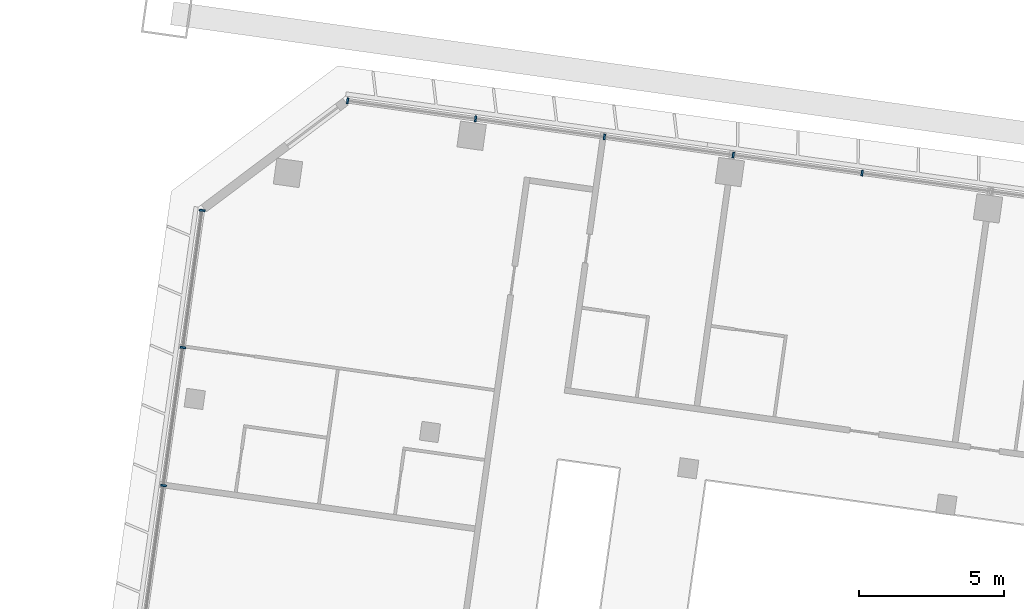
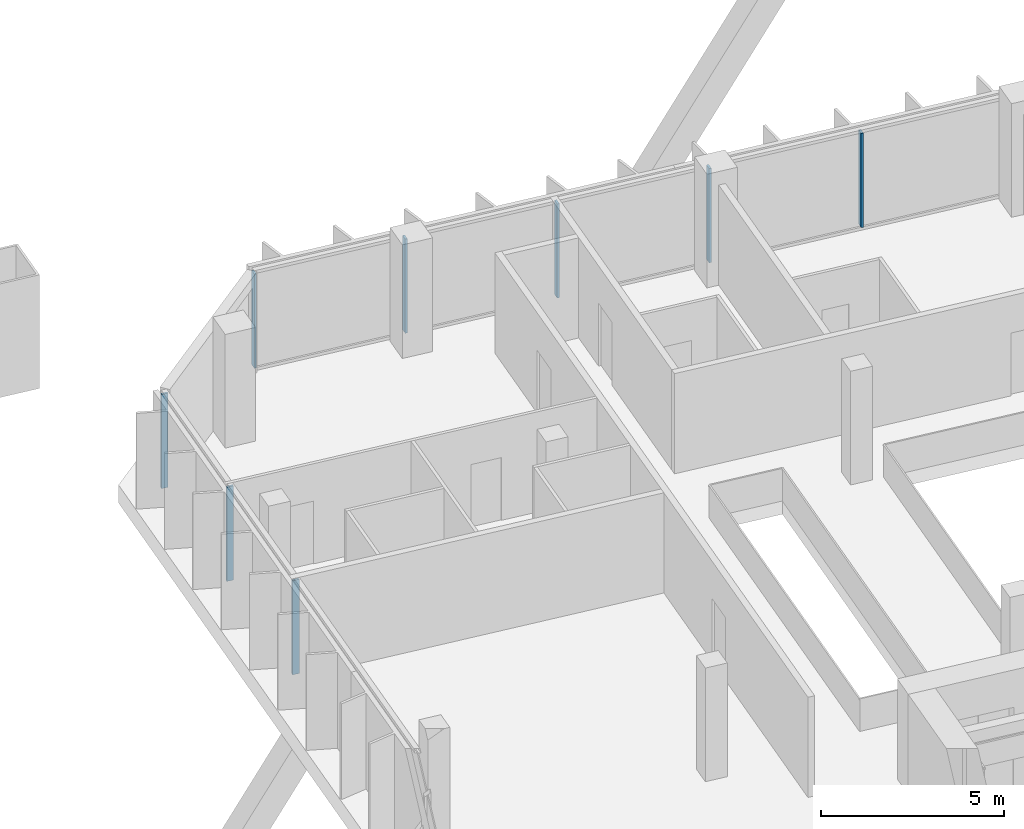
# One storey, part 4 of 41: 8 members, 2 elements without a shape of their own.
"""IFC4 building model written with IfcOpenShell, lengths in metres."""

from ifc_helpers import new_model, si_unit, direction, frame, origin, origin_2d, place, context, subcontext, project, spatial, rectangle, extrude, material, material_profile, profile_set, type_object, element, aggregate, save


model = new_model("IFC4")

# Units and contexts
model_context = context("Model", 3, precision=1e-05, world=origin(), true_north=direction((0.0, 1.0)))
body_context = subcontext(model_context, "Body", "Model", "MODEL_VIEW")
ifc_project = project(units=[si_unit("LENGTHUNIT", "METRE"), si_unit("AREAUNIT", "SQUARE_METRE"), si_unit("VOLUMEUNIT", "CUBIC_METRE"), si_unit("PLANEANGLEUNIT", "RADIAN"), si_unit("MASSUNIT", "GRAM", prefix="KILO")], contexts=[model_context])

# Site, building, storey
site_placement = place(None, origin())
site = spatial("IfcSite", under=ifc_project, at=site_placement, CompositionType="ELEMENT")
building_placement = place(site_placement, origin())
building = spatial("IfcBuilding", under=site, at=building_placement, Name="Mirante Cascada Hotel Towers", CompositionType="ELEMENT")
storey_placement = place(building_placement, frame((0.0, 0.0, 125.3)))
storey = spatial("IfcBuildingStorey", under=building, at=storey_placement, Name="L28", CompositionType="ELEMENT", Elevation=125.3)

# Curtain wall, members
ifc_material_1 = material(Name="Aluminium mullion and transom frame with clear laminated glass", Category="aluminium")
curtain_wall_type_1 = type_object("IfcCurtainWallType", Name="Ribbon curtain wall ECW1", PredefinedType="NOTDEFINED", material=ifc_material_1)
curtain_wall_1_placement = place(storey_placement, origin())
curtain_wall_1 = element("IfcCurtainWall", 1, at=curtain_wall_1_placement, inside=storey, type_object=curtain_wall_type_1, Name="Front ribbon wall T1 L28", PredefinedType="NOTDEFINED")
ifc_material_2 = material(Name="Anodised aluminium extrusion", Category="aluminium")
ifc_material_profile_1 = material_profile(ifc_material_2, rectangle(XDim=0.2, YDim=0.065, at=origin_2d()), Name="ECW1 MULLION 65x200")
ifc_profile_set_1 = profile_set([ifc_material_profile_1], Name="Anodised aluminium extrusion")
member_type_1 = type_object("IfcMemberType", Name="ECW1 mullion 65x200", PredefinedType="MULLION", material=ifc_profile_set_1)
member_1_placement = place(storey_placement, frame((-94.126, 26.0476, 0.1), z_axis=(0.0, 0.0, 1.0), x_axis=(0.1391731, 0.9902681, 0.0)))
member_1 = element("IfcMember", 2, at=member_1_placement, type_object=member_type_1, Name="ECW1 mullion 1", PredefinedType="MULLION", context=body_context, shape_type="SweptSolid", body=[
    extrude(rectangle(XDim=0.2, YDim=0.065, at=origin_2d()), origin(), (0.0, 0.0, 1.0), 3.15),
])
member_2_placement = place(storey_placement, frame((-89.7107, 25.427, 0.1), z_axis=(0.0, 0.0, 1.0), x_axis=(0.1391731, 0.9902681, 0.0)))
member_2 = element("IfcMember", 3, at=member_2_placement, type_object=member_type_1, Name="ECW1 mullion 2", PredefinedType="MULLION", context=body_context, shape_type="SweptSolid", body=[
    extrude(rectangle(XDim=0.2, YDim=0.065, at=origin_2d()), origin(), (0.0, 0.0, 1.0), 3.15),
])
member_3_placement = place(storey_placement, frame((-85.2633, 24.802, 0.1), z_axis=(0.0, 0.0, 1.0), x_axis=(0.1391731, 0.9902681, 0.0)))
member_3 = element("IfcMember", 4, at=member_3_placement, type_object=member_type_1, Name="ECW1 mullion 3", PredefinedType="MULLION", context=body_context, shape_type="SweptSolid", body=[
    extrude(rectangle(XDim=0.2, YDim=0.065, at=origin_2d()), origin(), (0.0, 0.0, 1.0), 3.15),
])
member_4_placement = place(storey_placement, frame((-80.8159, 24.177, 0.1), z_axis=(0.0, 0.0, 1.0), x_axis=(0.1391731, 0.9902681, 0.0)))
member_4 = element("IfcMember", 5, at=member_4_placement, type_object=member_type_1, Name="ECW1 mullion 4", PredefinedType="MULLION", context=body_context, shape_type="SweptSolid", body=[
    extrude(rectangle(XDim=0.2, YDim=0.065, at=origin_2d()), origin(), (0.0, 0.0, 1.0), 3.15),
])
member_5_placement = place(storey_placement, frame((-76.3685, 23.5519, 0.1), z_axis=(0.0, 0.0, 1.0), x_axis=(0.1391731, 0.9902681, 0.0)))
member_5 = element("IfcMember", 6, at=member_5_placement, type_object=member_type_1, Name="ECW1 mullion 5", PredefinedType="MULLION", context=body_context, shape_type="SweptSolid", body=[
    extrude(rectangle(XDim=0.2, YDim=0.065, at=origin_2d()), origin(), (0.0, 0.0, 1.0), 3.15),
])
aggregate(curtain_wall_1, [member_1, member_2, member_3, member_4, member_5])

ifc_material_3 = material(Name="Aluminium mullion and transom frame with clear laminated glass", Category="aluminium")
curtain_wall_type_2 = type_object("IfcCurtainWallType", Name="End ribbon curtain wall ECW2", PredefinedType="NOTDEFINED", material=ifc_material_3)
curtain_wall_2_placement = place(storey_placement, origin())
curtain_wall_2 = element("IfcCurtainWall", 7, at=curtain_wall_2_placement, inside=storey, type_object=curtain_wall_type_2, Name="Outer end wall T1 L28", PredefinedType="NOTDEFINED")
ifc_material_4 = material(Name="Anodised aluminium extrusion", Category="aluminium")
ifc_material_profile_2 = material_profile(ifc_material_4, rectangle(XDim=0.2, YDim=0.065, at=origin_2d()), Name="ECW2 MULLION 65x200")
ifc_profile_set_2 = profile_set([ifc_material_profile_2], Name="Anodised aluminium extrusion")
member_type_2 = type_object("IfcMemberType", Name="ECW2 mullion 65x200", PredefinedType="MULLION", material=ifc_profile_set_2)
member_6_placement = place(storey_placement, frame((-100.481, 12.7654, 0.1), z_axis=(0.0, 0.0, 1.0), x_axis=(-0.9902681, 0.1391731, 0.0)))
member_6 = element("IfcMember", 8, at=member_6_placement, type_object=member_type_2, Name="ECW2 mullion 5", PredefinedType="MULLION", context=body_context, shape_type="SweptSolid", body=[
    extrude(rectangle(XDim=0.2, YDim=0.065, at=origin_2d()), origin(), (0.0, 0.0, 1.0), 3.15),
])
member_7_placement = place(storey_placement, frame((-99.8112, 17.5312, 0.1), z_axis=(0.0, 0.0, 1.0), x_axis=(-0.9902681, 0.1391731, 0.0)))
member_7 = element("IfcMember", 9, at=member_7_placement, type_object=member_type_2, Name="ECW2 mullion 6", PredefinedType="MULLION", context=body_context, shape_type="SweptSolid", body=[
    extrude(rectangle(XDim=0.2, YDim=0.065, at=origin_2d()), origin(), (0.0, 0.0, 1.0), 3.15),
])
member_8_placement = place(storey_placement, frame((-99.1459, 22.2648, 0.1), z_axis=(0.0, 0.0, 1.0), x_axis=(-0.9902681, 0.1391731, 0.0)))
member_8 = element("IfcMember", 10, at=member_8_placement, type_object=member_type_2, Name="ECW2 mullion 7", PredefinedType="MULLION", context=body_context, shape_type="SweptSolid", body=[
    extrude(rectangle(XDim=0.2, YDim=0.065, at=origin_2d()), origin(), (0.0, 0.0, 1.0), 3.15),
])
aggregate(curtain_wall_2, [member_6, member_7, member_8])

save(model, "model.ifc")
